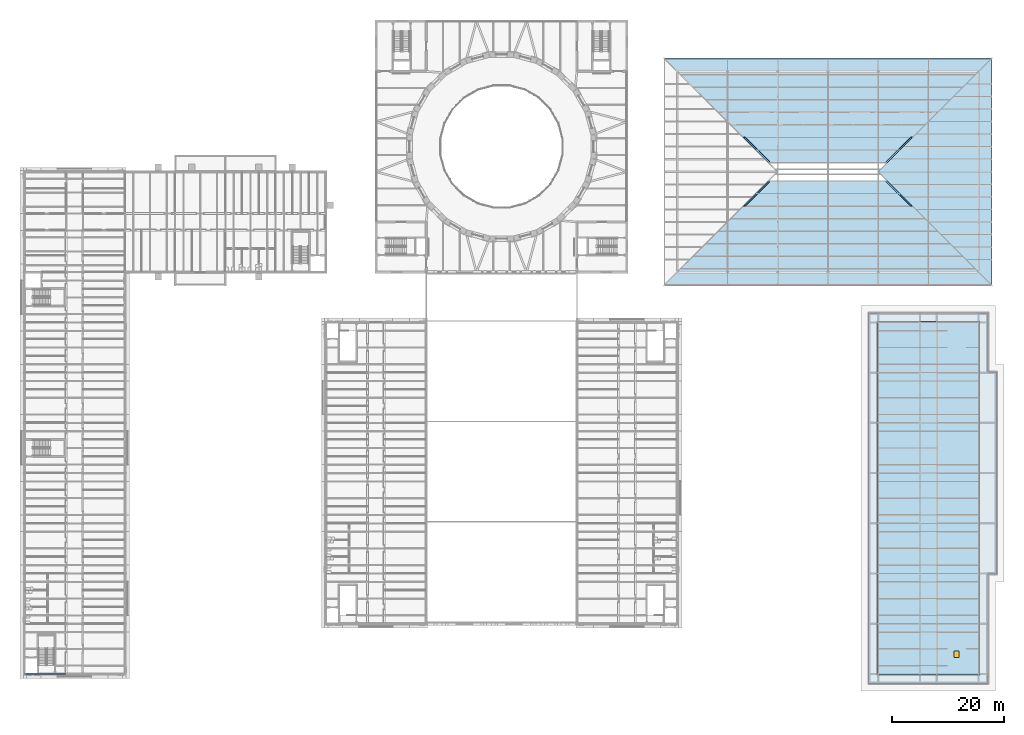
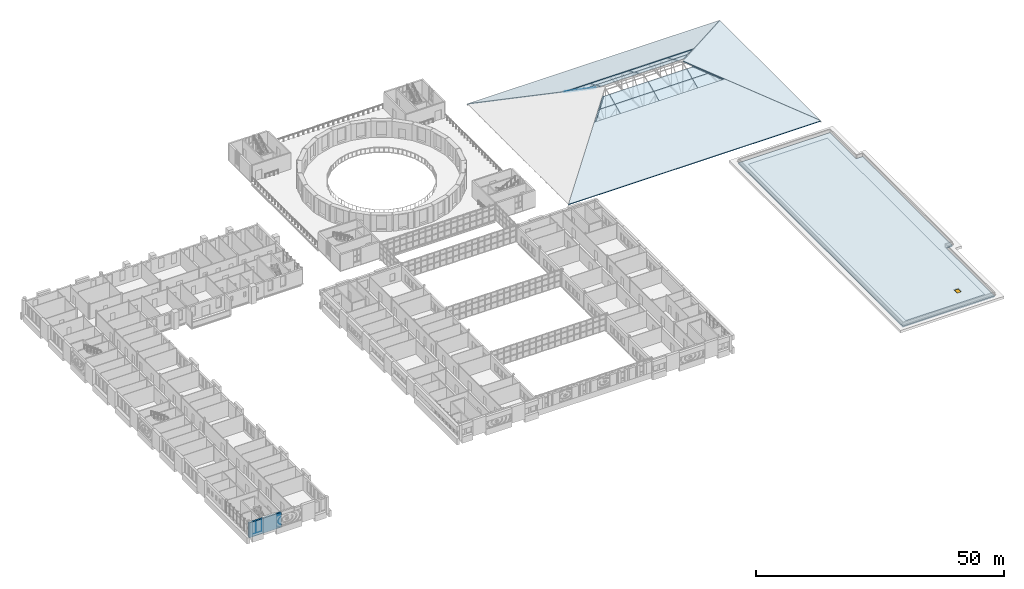
# One storey, part 98 of 154: 16 plates, 9 slabs, 1 wall, 1 window, 1 opening.
"""IFC4 building model written with IfcOpenShell, lengths in metres."""

from ifc_helpers import new_model, si_unit, direction, frame, frame_2d, origin, origin_2d, place, context, subcontext, project, spatial, polyline, rectangle, outline, extrude, material, layer, layer_set, type_object, element, fill, save


model = new_model("IFC4")

# Units and contexts
model_context = context("Model", 3, precision=1e-05, world=origin(), true_north=direction((0.0, 1.0)))
body_context = subcontext(model_context, "Body", "Model", "MODEL_VIEW")
ifc_project = project(units=[si_unit("LENGTHUNIT", "METRE"), si_unit("AREAUNIT", "SQUARE_METRE"), si_unit("VOLUMEUNIT", "CUBIC_METRE"), si_unit("PLANEANGLEUNIT", "RADIAN"), si_unit("MASSUNIT", "GRAM", prefix="KILO")], contexts=[model_context])

# Site, building, storey
site_placement = place(None, origin())
site = spatial("IfcSite", under=ifc_project, at=site_placement, CompositionType="ELEMENT")
building_placement = place(site_placement, origin())
building = spatial("IfcBuilding", under=site, at=building_placement, Name="Golden Quay Civic Hall", CompositionType="ELEMENT")
storey_placement = place(building_placement, frame((0.0, 0.0, 14.39990234375)))
storey = spatial("IfcBuildingStorey", under=building, at=storey_placement, Name="L03", CompositionType="ELEMENT", Elevation=14.39990234375)

# Slab, opening, window
ifc_material_1 = material(Name="Concrete C35/45", Category="concrete")
ifc_layer_1 = layer(ifc_material_1, 0.25)
ifc_layer_set_1 = layer_set([ifc_layer_1], Name="Composite roof 250")
slab_type_1 = type_object("IfcSlabType", Name="Composite roof 250", PredefinedType="ROOF", material=ifc_layer_set_1)
slab_1_placement = place(storey_placement, frame((0.0, 0.0, -0.25)))
slab_1 = element("IfcSlab", 1, at=slab_1_placement, inside=storey, type_object=slab_type_1, Name="EO roof", PredefinedType="ROOF", context=body_context, shape_type="SweptSolid", body=[
    extrude(outline(polyline([(171.199951171875, -9.199951171875), (171.199951171875, 54.199951171875), (152.800048828125, 54.199951171875), (152.800048828125, -9.199951171875), (171.199951171875, -9.199951171875)])), origin(), (0.0, 0.0, 1.0), 0.25),
])
opening_placement = place(slab_1_placement, frame((167.074951171875, -5.47509765625, 0.0)))
opening = element("IfcOpeningElement", 2, at=opening_placement, cuts=slab_1, Name="Opening WN12", PredefinedType="OPENING", context=body_context, shape_type="SweptSolid", body=[
    extrude(rectangle(XDim=0.89990234375, YDim=1.199951171875, at=origin_2d()), origin(), (0.0, 0.0, 1.0), 0.25),
])
ifc_material_2 = material(Name="Aluminium, insulated", Category="aluminium")
window_type = type_object("IfcWindowType", Name="Roof access hatch 900 x 1200", PartitioningType="SINGLE_PANEL", PredefinedType="SKYLIGHT", material=ifc_material_2)
window_placement = place(opening_placement, frame((0.0, 0.0, 0.199951171875)))
window = element("IfcWindow", 3, at=window_placement, inside=storey, type_object=window_type, Name="Roof access hatch 900 x 1200 L03 1", OverallHeight=1.199951171875, OverallWidth=0.89990234375, PartitioningType="SINGLE_PANEL", PredefinedType="SKYLIGHT", context=body_context, shape_type="SweptSolid", body=[
    extrude(rectangle(XDim=0.89990234375, YDim=1.199951171875, at=origin_2d()), origin(), (0.0, 0.0, 1.0), 0.050048828125),
])
fill(opening, window)

# Slabs
ifc_material_3 = material(Name="Concrete C35/45", Category="concrete")
ifc_layer_2 = layer(ifc_material_3, 0.14990234375)
ifc_layer_set_2 = layer_set([ifc_layer_2], Name="Concrete roof deck 150, Concrete C35/45")
slab_type_2 = type_object("IfcSlabType", Name="Concrete roof deck 150", PredefinedType="ROOF", material=ifc_layer_set_2)
slab_2_placement = place(storey_placement, frame((114.60009765625, 60.60009765625, -0.3828125), z_axis=(0.0, -0.422612581119, 0.906310435932), x_axis=(1.0, 0.0, 0.0)))
element("IfcSlab", 4, at=slab_2_placement, inside=storey, type_object=slab_type_2, Name="Roof deck south", PredefinedType="ROOF", context=body_context, shape_type="SweptSolid", body=[
    extrude(outline(polyline([(0.0, 0.0), (58.7998046875, 0.0), (44.5498046875, 15.723089390824425), (14.25, 15.723089390824425), (0.0, 0.0)])), origin(), (0.0, -0.422612581119, -0.906310435932), 0.16552734375),
])
slab_3_placement = place(storey_placement, frame((128.85009765625, 74.85009765625, 6.261962890625), z_axis=(0.0, -0.422618958231, 0.906307462258), x_axis=(1.0, 0.0, 0.0)))
element("IfcSlab", 5, at=slab_3_placement, inside=storey, type_object=slab_type_2, Name="Roof deck south hip edge west", PredefinedType="ROOF", context=body_context, shape_type="SweptSolid", body=[
    extrude(outline(polyline([(0.0, 0.0), (0.349853515625, 0.0), (4.849853515625, 4.965202414630578), (4.5, 4.965202414630578), (0.0, 0.0)])), origin(), (0.0, -0.422618958231, -0.906307462258), 0.16552734375),
])
slab_4_placement = place(storey_placement, frame((158.800048828125, 74.85009765625, 6.261962890625), z_axis=(0.0, -0.422618958231, 0.906307462258), x_axis=(1.0, 0.0, 0.0)))
element("IfcSlab", 6, at=slab_4_placement, inside=storey, type_object=slab_type_2, Name="Roof deck south hip edge east", PredefinedType="ROOF", context=body_context, shape_type="SweptSolid", body=[
    extrude(outline(polyline([(0.0, 0.0), (0.349853515625, 0.0), (-4.150146484375, 4.965202414630578), (-4.5, 4.965202414630578), (0.0, 0.0)])), origin(), (0.0, -0.422618958231, -0.906307462258), 0.16552734375),
])
slab_5_placement = place(storey_placement, frame((128.85009765625, 87.14990234375, 6.261962890625), z_axis=(0.0, 0.422612581119, 0.906310435932), x_axis=(1.0, 0.0, 0.0)))
element("IfcSlab", 7, at=slab_5_placement, inside=storey, type_object=slab_type_2, Name="Roof deck north", PredefinedType="ROOF", context=body_context, shape_type="SweptSolid", body=[
    extrude(outline(polyline([(0.0, 0.0), (30.2998046875, 0.0), (44.5498046875, 15.723089390824425), (-14.25, 15.723089390824425), (0.0, 0.0)])), origin(), (0.0, 0.422612581119, -0.906310435932), 0.16552734375),
])
slab_6_placement = place(storey_placement, frame((133.35009765625, 82.64990234375, 8.3603515625), z_axis=(0.0, 0.422618958231, 0.906307462258), x_axis=(1.0, 0.0, 0.0)))
element("IfcSlab", 8, at=slab_6_placement, inside=storey, type_object=slab_type_2, Name="Roof deck north hip edge west", PredefinedType="ROOF", context=body_context, shape_type="SweptSolid", body=[
    extrude(outline(polyline([(0.0, 0.0), (0.349853515625, 0.0), (-4.150146484375, 4.965202414630578), (-4.5, 4.965202414630578), (0.0, 0.0)])), origin(), (0.0, 0.422618958231, -0.906307462258), 0.16552734375),
])
slab_7_placement = place(storey_placement, frame((154.300048828125, 82.64990234375, 8.3603515625), z_axis=(0.0, 0.422618958231, 0.906307462258), x_axis=(1.0, 0.0, 0.0)))
element("IfcSlab", 9, at=slab_7_placement, inside=storey, type_object=slab_type_2, Name="Roof deck north hip edge east", PredefinedType="ROOF", context=body_context, shape_type="SweptSolid", body=[
    extrude(outline(polyline([(0.0, 0.0), (0.349853515625, 0.0), (4.849853515625, 4.965202414630578), (4.5, 4.965202414630578), (0.0, 0.0)])), origin(), (0.0, 0.422618958231, -0.906307462258), 0.16552734375),
])
slab_8_placement = place(storey_placement, frame((173.330078125, 60.76904296875, -0.35009765625), z_axis=(0.422613619875, 0.0, 0.90630995156), x_axis=(-0.671547469412, 0.671539365493, 0.313143540439)))
element("IfcSlab", 10, at=slab_8_placement, inside=storey, type_object=slab_type_2, Name="Roof deck east", PredefinedType="ROOF", context=body_context, shape_type="SweptSolid", body=[
    extrude(outline(polyline([(0.0, 0.0), (30.12624139523137, 3.9968028886505635e-15), (27.17176809617345, -29.98101913092525), (0.0, 0.0)])), origin(), (-0.313143540439, -0.28380168214, -0.90630995156), 0.16552734375),
])
ifc_material_4 = material(Name="Concrete C35/45", Category="concrete")
ifc_layer_3 = layer(ifc_material_4, 0.25)
ifc_layer_set_3 = layer_set([ifc_layer_3], Name="Eave roof slab 250")
slab_type_3 = type_object("IfcSlabType", Name="Eave roof slab 250", PredefinedType="ROOF", material=ifc_layer_set_3)
slab_9_placement = place(storey_placement, frame((0.0, 0.0, -0.25)))
element("IfcSlab", 11, at=slab_9_placement, inside=storey, type_object=slab_type_3, Name="Eave roof slab 250 L03 1", PredefinedType="ROOF", context=body_context, shape_type="SweptSolid", body=[
    extrude(outline(polyline([(172.699951171875, -10.699951171875), (171.199951171875, -10.699951171875), (152.800048828125, -10.699951171875), (151.300048828125, -10.699951171875), (151.300048828125, -9.199951171875), (151.300048828125, 54.199951171875), (151.300048828125, 55.699951171875), (152.800048828125, 55.699951171875), (171.199951171875, 55.699951171875), (172.699951171875, 55.699951171875), (172.699951171875, 54.199951171875), (172.699951171875, 45.10009765625), (174.199951171875, 45.10009765625), (174.199951171875, 8.89990234375), (172.699951171875, 8.89990234375), (172.699951171875, -9.199951171875), (172.699951171875, -10.699951171875)]), holes=[polyline([(171.199951171875, 45.10009765625), (171.199951171875, 54.199951171875), (152.800048828125, 54.199951171875), (152.800048828125, -9.199951171875), (171.199951171875, -9.199951171875), (171.199951171875, 8.89990234375), (171.199951171875, 45.10009765625)])]), origin(), (0.0, 0.0, 1.0), 0.25),
])

# Plates
ifc_material_5 = material(Name="Laminated glass", Category="glass")
ifc_layer_4 = layer(ifc_material_5, 0.030029296875)
ifc_layer_set_4 = layer_set([ifc_layer_4], Name="Laminated roof glazing 30")
plate_type = type_object("IfcPlateType", Name="Laminated roof glazing 30", PredefinedType="SHEET", material=ifc_layer_set_4)
plate_1_placement = place(storey_placement, frame((129.199951171875, 74.85009765625, 6.129638671875), z_axis=(0.0, -0.422578568799, 0.906326295101), x_axis=(1.0, 0.0, 0.0)))
element("IfcPlate", 12, at=plate_1_placement, inside=storey, type_object=plate_type, Name="Roof glazing south 1.1", PredefinedType="SHEET", context=body_context, shape_type="SweptSolid", body=[
    extrude(outline(polyline([(0.0, 0.0), (5.800048828125, 0.0), (5.800048828125, 2.4825496205521396), (2.25, 2.4825496205521396), (0.0, 0.0)])), origin(), (0.0, 0.0, -1.0), 0.030029296875),
])
for number, where, z_axis, x_axis, name in (
    (13, (135.0, 74.85009765625, 6.129638671875), (0.0, -0.422578568799, 0.906326295101), (1.0, 0.0, 0.0), "Roof glazing south 1.2"),
    (14, (144.0, 74.85009765625, 6.129638671875), (0.0, -0.422578568799, 0.906326295101), (1.0, 0.0, 0.0), "Roof glazing south 1.3"),
):
    element("IfcPlate", number, at=place(storey_placement, frame(where, z_axis=z_axis, x_axis=x_axis)), inside=storey, type_object=plate_type, Name=name, PredefinedType="SHEET", context=body_context, shape_type="SweptSolid", body=[
        extrude(outline(polyline([(0.0, 0.0), (9.0, 0.0), (9.0, 2.482549620552139), (0.0, 2.482549620552139), (0.0, 0.0)])), origin(), (0.0, 0.0, -1.0), 0.030029296875),
    ])
plate_2_placement = place(storey_placement, frame((153.0, 74.85009765625, 6.129638671875), z_axis=(0.0, -0.422578568799, 0.906326295101), x_axis=(1.0, 0.0, 0.0)))
element("IfcPlate", 15, at=plate_2_placement, inside=storey, type_object=plate_type, Name="Roof glazing south 1.4", PredefinedType="SHEET", context=body_context, shape_type="SweptSolid", body=[
    extrude(outline(polyline([(0.0, 0.0), (5.800048828125, 0.0), (3.550048828125, 2.4825496205521396), (0.0, 2.4825496205521396), (0.0, 0.0)])), origin(), (0.0, 0.0, -1.0), 0.030029296875),
])
plate_3_placement = place(storey_placement, frame((131.449951171875, 77.10009765625, 7.1787109375), z_axis=(0.0, -0.422659345144, 0.906288628397), x_axis=(1.0, 0.0, 0.0)))
element("IfcPlate", 16, at=plate_3_placement, inside=storey, type_object=plate_type, Name="Roof glazing south 2.1", PredefinedType="SHEET", context=body_context, shape_type="SweptSolid", body=[
    extrude(outline(polyline([(0.0, 0.0), (3.550048828125, 0.0), (3.550048828125, 2.4826527990086364), (2.25, 2.4826527990086364), (0.0, 0.0)])), origin(), (0.0, 0.0, -1.0), 0.030029296875),
])
for number, where, z_axis, x_axis, name in (
    (17, (135.0, 77.10009765625, 7.1787109375), (0.0, -0.422659345144, 0.906288628397), (1.0, 0.0, 0.0), "Roof glazing south 2.2"),
    (18, (144.0, 77.10009765625, 7.1787109375), (0.0, -0.422659345144, 0.906288628397), (1.0, 0.0, 0.0), "Roof glazing south 2.3"),
):
    element("IfcPlate", number, at=place(storey_placement, frame(where, z_axis=z_axis, x_axis=x_axis)), inside=storey, type_object=plate_type, Name=name, PredefinedType="SHEET", context=body_context, shape_type="SweptSolid", body=[
        extrude(outline(polyline([(0.0, 0.0), (9.0, 0.0), (9.0, 2.482652799008636), (0.0, 2.482652799008636), (0.0, 0.0)])), origin(), (0.0, 0.0, -1.0), 0.030029296875),
    ])
plate_4_placement = place(storey_placement, frame((153.0, 77.10009765625, 7.1787109375), z_axis=(0.0, -0.422659345144, 0.906288628397), x_axis=(1.0, 0.0, 0.0)))
element("IfcPlate", 19, at=plate_4_placement, inside=storey, type_object=plate_type, Name="Roof glazing south 2.4", PredefinedType="SHEET", context=body_context, shape_type="SweptSolid", body=[
    extrude(outline(polyline([(0.0, 0.0), (3.550048828125, 0.0), (1.300048828125, 2.4826527990086364), (0.0, 2.4826527990086364), (0.0, 0.0)])), origin(), (0.0, 0.0, -1.0), 0.030029296875),
])
plate_5_placement = place(storey_placement, frame((131.449951171875, 84.89990234375, 7.1787109375), z_axis=(0.0, 0.422578568799, 0.906326295101), x_axis=(1.0, 0.0, 0.0)))
element("IfcPlate", 20, at=plate_5_placement, inside=storey, type_object=plate_type, Name="Roof glazing north 1.1", PredefinedType="SHEET", context=body_context, shape_type="SweptSolid", body=[
    extrude(outline(polyline([(0.0, 0.0), (3.550048828125, 0.0), (3.550048828125, 2.4825496205521396), (-2.25, 2.4825496205521396), (0.0, 0.0)])), origin(), (0.0, 0.0, -1.0), 0.030029296875),
])
for number, where, z_axis, x_axis, name in (
    (21, (135.0, 84.89990234375, 7.1787109375), (0.0, 0.422578568799, 0.906326295101), (1.0, 0.0, 0.0), "Roof glazing north 1.2"),
    (22, (144.0, 84.89990234375, 7.1787109375), (0.0, 0.422578568799, 0.906326295101), (1.0, 0.0, 0.0), "Roof glazing north 1.3"),
):
    element("IfcPlate", number, at=place(storey_placement, frame(where, z_axis=z_axis, x_axis=x_axis)), inside=storey, type_object=plate_type, Name=name, PredefinedType="SHEET", context=body_context, shape_type="SweptSolid", body=[
        extrude(outline(polyline([(0.0, 0.0), (9.0, 0.0), (9.0, 2.482549620552139), (0.0, 2.482549620552139), (0.0, 0.0)])), origin(), (0.0, 0.0, -1.0), 0.030029296875),
    ])
plate_6_placement = place(storey_placement, frame((153.0, 84.89990234375, 7.1787109375), z_axis=(0.0, 0.422578568799, 0.906326295101), x_axis=(1.0, 0.0, 0.0)))
element("IfcPlate", 23, at=plate_6_placement, inside=storey, type_object=plate_type, Name="Roof glazing north 1.4", PredefinedType="SHEET", context=body_context, shape_type="SweptSolid", body=[
    extrude(outline(polyline([(0.0, 0.0), (3.550048828125, 0.0), (5.800048828125, 2.4825496205521396), (0.0, 2.4825496205521396), (0.0, 0.0)])), origin(), (0.0, 0.0, -1.0), 0.030029296875),
])
plate_7_placement = place(storey_placement, frame((133.699951171875, 82.64990234375, 8.22802734375), z_axis=(0.0, 0.422659345144, 0.906288628397), x_axis=(1.0, 0.0, 0.0)))
element("IfcPlate", 24, at=plate_7_placement, inside=storey, type_object=plate_type, Name="Roof glazing north 2.1", PredefinedType="SHEET", context=body_context, shape_type="SweptSolid", body=[
    extrude(outline(polyline([(0.0, 0.0), (1.300048828125, 0.0), (1.300048828125, 2.4826527990086364), (-2.25, 2.4826527990086364), (0.0, 0.0)])), origin(), (0.0, 0.0, -1.0), 0.030029296875),
])
for number, where, z_axis, x_axis, name in (
    (25, (135.0, 82.64990234375, 8.22802734375), (0.0, 0.422659345144, 0.906288628397), (1.0, 0.0, 0.0), "Roof glazing north 2.2"),
    (26, (144.0, 82.64990234375, 8.22802734375), (0.0, 0.422659345144, 0.906288628397), (1.0, 0.0, 0.0), "Roof glazing north 2.3"),
):
    element("IfcPlate", number, at=place(storey_placement, frame(where, z_axis=z_axis, x_axis=x_axis)), inside=storey, type_object=plate_type, Name=name, PredefinedType="SHEET", context=body_context, shape_type="SweptSolid", body=[
        extrude(outline(polyline([(0.0, 0.0), (9.0, 0.0), (9.0, 2.482652799008636), (0.0, 2.482652799008636), (0.0, 0.0)])), origin(), (0.0, 0.0, -1.0), 0.030029296875),
    ])
plate_8_placement = place(storey_placement, frame((153.0, 82.64990234375, 8.22802734375), z_axis=(0.0, 0.422659345144, 0.906288628397), x_axis=(1.0, 0.0, 0.0)))
element("IfcPlate", 27, at=plate_8_placement, inside=storey, type_object=plate_type, Name="Roof glazing north 2.4", PredefinedType="SHEET", context=body_context, shape_type="SweptSolid", body=[
    extrude(outline(polyline([(0.0, 0.0), (1.300048828125, 0.0), (3.550048828125, 2.4826527990086364), (0.0, 2.4826527990086364), (0.0, 0.0)])), origin(), (0.0, 0.0, -1.0), 0.030029296875),
])

# Wall
ifc_material_6 = material(Name="Clay block, rendered, cream")
ifc_layer_5 = layer(ifc_material_6, 0.39990234375)
ifc_layer_set_5 = layer_set([ifc_layer_5], Name="Rendered block external wall 400 fire EI 60")
wall_type = type_object("IfcWallType", Name="Rendered block external wall 400 fire EI 60", PredefinedType="STANDARD", material=ifc_layer_set_5)
wall_placement = place(storey_placement, frame((7.490966796875, -9.0, 0.0), z_axis=(0.0, 0.0, 1.0), x_axis=(-1.0, 0.0, 0.0)))
element("IfcWall", 28, at=wall_placement, inside=storey, type_object=wall_type, Name="Rendered block external wall 400 fire EI 60 L03 3", PredefinedType="STANDARD", context=body_context, shape_type="SweptSolid", body=[
    extrude(rectangle(XDim=7.48193359375, YDim=0.39990234375, at=frame_2d((3.740966796875, 0.0))), origin(), (0.0, 0.0, 1.0), 3.670166015625),
])

save(model, "model.ifc")
